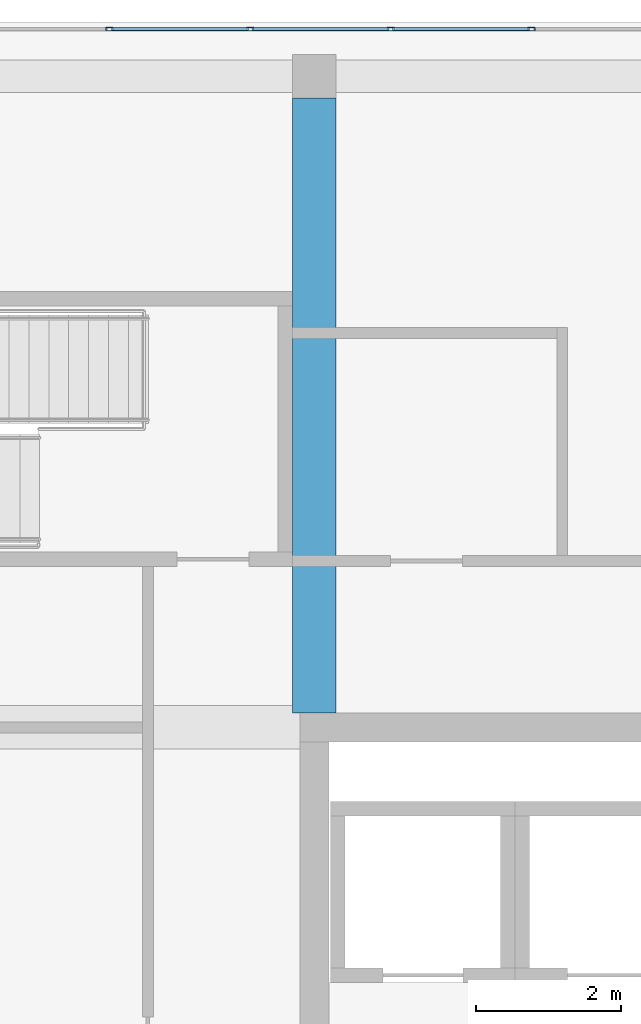
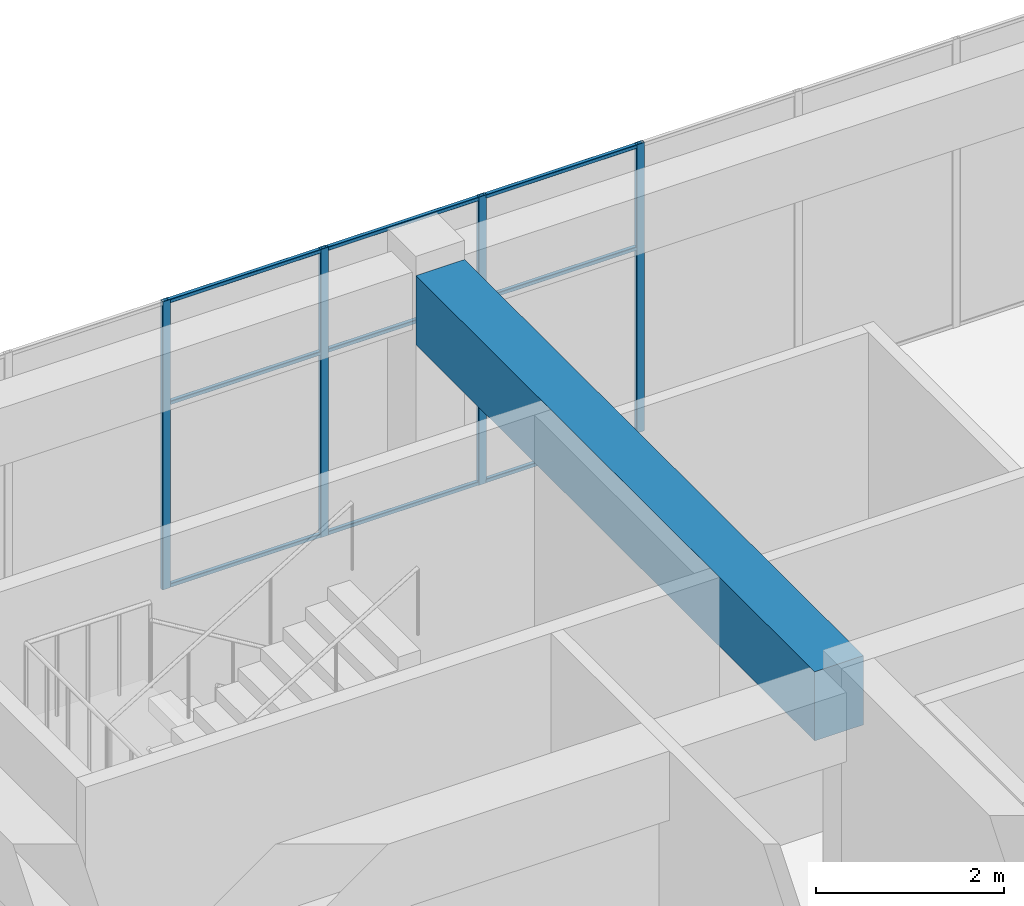
# One storey, part 21 of 32: 13 members, 1 beam, 1 element without a shape of its own.
"""IFC4 building model written with IfcOpenShell, lengths in metres."""

from ifc_helpers import new_model, si_unit, direction, frame, origin, origin_2d, place, context, subcontext, project, spatial, rectangle, hollow_rectangle, extrude, material, layer, layer_set, material_profile, profile_set, type_object, element, aggregate, save


model = new_model("IFC4")

# Units and contexts
model_context = context("Model", 3, precision=1e-05, world=origin(), true_north=direction((0.0, 1.0)))
body_context = subcontext(model_context, "Body", "Model", "MODEL_VIEW")
ifc_project = project(units=[si_unit("LENGTHUNIT", "METRE"), si_unit("AREAUNIT", "SQUARE_METRE"), si_unit("VOLUMEUNIT", "CUBIC_METRE"), si_unit("PLANEANGLEUNIT", "RADIAN"), si_unit("MASSUNIT", "GRAM", prefix="KILO")], contexts=[model_context])

# Site, building, storey
site_placement = place(None, origin())
site = spatial("IfcSite", under=ifc_project, at=site_placement, CompositionType="ELEMENT")
building_placement = place(site_placement, origin())
building = spatial("IfcBuilding", under=site, at=building_placement, Name="Tuart Plaza Theatre", CompositionType="ELEMENT")
storey_placement = place(building_placement, frame((0.0, 0.0, 41.5)))
storey = spatial("IfcBuildingStorey", under=building, at=storey_placement, Name="L10", CompositionType="ELEMENT", Elevation=41.5)

# Beam
ifc_material_1 = material(Name="Concrete N40 (40 MPa)", Category="concrete")
ifc_material_profile_1 = material_profile(ifc_material_1, rectangle(XDim=0.60009765625, YDim=0.89990234375, at=origin_2d()), Name="BEAM 600x900 Concrete N40 (40 MPa)")
ifc_profile_set_1 = profile_set([ifc_material_profile_1], Name="Concrete N40 (40 MPa)")
beam_type = type_object("IfcBeamType", Name="BEAM 600x900 Concrete N40 (40 MPa)", PredefinedType="BEAM", material=ifc_profile_set_1)
beam_placement = place(storey_placement, frame((123.0, 83.199951171875, 3.300048828125), z_axis=(0.0, 1.0, 0.0), x_axis=(-1.0, 0.0, 0.0)))
element("IfcBeam", 1, at=beam_placement, inside=storey, type_object=beam_type, Name="RB298", PredefinedType="BEAM", context=body_context, shape_type="SweptSolid", body=[
    extrude(rectangle(XDim=0.60009765625, YDim=0.89990234375, at=origin_2d()), origin(), (0.0, 0.0, 1.0), 8.5),
])

# Curtain wall, members
ifc_material_2 = material(Name="Aluminium and glass", Category="aluminium")
ifc_layer = layer(ifc_material_2, 0.10009765625)
ifc_layer_set = layer_set([ifc_layer], Name="CURTAIN WALL 2000 module")
curtain_wall_type = type_object("IfcCurtainWallType", Name="CURTAIN WALL 2000 module", PredefinedType="NOTDEFINED", material=ifc_layer_set)
curtain_wall_placement = place(storey_placement, origin())
curtain_wall = element("IfcCurtainWall", 2, at=curtain_wall_placement, inside=storey, type_object=curtain_wall_type, Name="CW105", PredefinedType="NOTDEFINED")
ifc_material_3 = material(Name="Aluminium 6063-T5", Category="aluminium")
ifc_material_profile_2 = material_profile(ifc_material_3, hollow_rectangle(XDim=0.050048828125, YDim=0.10009765625, WallThickness=0.00390625, InnerFilletRadius=0.00390625, OuterFilletRadius=0.008056640625, at=origin_2d()), Name="RHS 100x50x4")
ifc_profile_set_2 = profile_set([ifc_material_profile_2], Name="Aluminium 6063-T5")
member_type_1 = type_object("IfcMemberType", Name="MULLION RHS 100x50x4", PredefinedType="MULLION", material=ifc_profile_set_2)
member_1_placement = place(storey_placement, frame((126.0, 92.64990234375, 0.0), z_axis=(0.0, 0.0, 1.0), x_axis=(0.0, -1.0, 0.0)))
member_1 = element("IfcMember", 3, at=member_1_placement, type_object=member_type_1, Name="CW105 mullion 9", PredefinedType="MULLION", context=body_context, shape_type="SweptSolid", body=[
    extrude(hollow_rectangle(XDim=0.050048828125, YDim=0.10009765625, WallThickness=0.00390625, InnerFilletRadius=0.00390625, OuterFilletRadius=0.008056640625, at=origin_2d()), origin(), (0.0, 0.0, 1.0), 3.75),
])
member_2_placement = place(storey_placement, frame((124.05615234375, 92.64990234375, 0.0), z_axis=(0.0, 0.0, 1.0), x_axis=(0.0, -1.0, 0.0)))
member_2 = element("IfcMember", 4, at=member_2_placement, type_object=member_type_1, Name="CW105 mullion 10", PredefinedType="MULLION", context=body_context, shape_type="SweptSolid", body=[
    extrude(hollow_rectangle(XDim=0.050048828125, YDim=0.10009765625, WallThickness=0.00390625, InnerFilletRadius=0.00390625, OuterFilletRadius=0.008056640625, at=origin_2d()), origin(), (0.0, 0.0, 1.0), 3.75),
])
member_3_placement = place(storey_placement, frame((122.112548828125, 92.64990234375, 0.0), z_axis=(0.0, 0.0, 1.0), x_axis=(0.0, -1.0, 0.0)))
member_3 = element("IfcMember", 5, at=member_3_placement, type_object=member_type_1, Name="CW105 mullion 11", PredefinedType="MULLION", context=body_context, shape_type="SweptSolid", body=[
    extrude(hollow_rectangle(XDim=0.050048828125, YDim=0.10009765625, WallThickness=0.00390625, InnerFilletRadius=0.00390625, OuterFilletRadius=0.008056640625, at=origin_2d()), origin(), (0.0, 0.0, 1.0), 3.75),
])
member_4_placement = place(storey_placement, frame((120.168701171875, 92.64990234375, 0.0), z_axis=(0.0, 0.0, 1.0), x_axis=(0.0, -1.0, 0.0)))
member_4 = element("IfcMember", 6, at=member_4_placement, type_object=member_type_1, Name="CW105 mullion 12", PredefinedType="MULLION", context=body_context, shape_type="SweptSolid", body=[
    extrude(hollow_rectangle(XDim=0.050048828125, YDim=0.10009765625, WallThickness=0.00390625, InnerFilletRadius=0.00390625, OuterFilletRadius=0.008056640625, at=origin_2d()), origin(), (0.0, 0.0, 1.0), 3.75),
])
ifc_material_4 = material(Name="Aluminium 6063-T5", Category="aluminium")
ifc_material_profile_3 = material_profile(ifc_material_4, hollow_rectangle(XDim=0.050048828125, YDim=0.050048828125, WallThickness=0.00390625, InnerFilletRadius=0.00390625, OuterFilletRadius=0.008056640625, at=origin_2d()), Name="RHS 50x50x4")
ifc_profile_set_3 = profile_set([ifc_material_profile_3], Name="Aluminium 6063-T5")
member_type_2 = type_object("IfcMemberType", Name="TRANSOM RHS 50x50x4", PredefinedType="USERDEFINED", material=ifc_profile_set_3)
member_5_placement = place(storey_placement, frame((125.97509765625, 92.64990234375, 0.02490234375), z_axis=(-1.0, 0.0, 0.0), x_axis=(0.0, -1.0, 0.0)))
member_5 = element("IfcMember", 7, at=member_5_placement, type_object=member_type_2, Name="CW105 transom 9.1", ObjectType="TRANSOM", PredefinedType="USERDEFINED", context=body_context, shape_type="SweptSolid", body=[
    extrude(hollow_rectangle(XDim=0.050048828125, YDim=0.050048828125, WallThickness=0.00390625, InnerFilletRadius=0.00390625, OuterFilletRadius=0.008056640625, at=origin_2d()), origin(), (0.0, 0.0, 1.0), 1.893798828125),
])
member_6_placement = place(storey_placement, frame((125.97509765625, 92.64990234375, 2.39990234375), z_axis=(-1.0, 0.0, 0.0), x_axis=(0.0, -1.0, 0.0)))
member_6 = element("IfcMember", 8, at=member_6_placement, type_object=member_type_2, Name="CW105 transom 9.2", ObjectType="TRANSOM", PredefinedType="USERDEFINED", context=body_context, shape_type="SweptSolid", body=[
    extrude(hollow_rectangle(XDim=0.050048828125, YDim=0.050048828125, WallThickness=0.00390625, InnerFilletRadius=0.00390625, OuterFilletRadius=0.008056640625, at=origin_2d()), origin(), (0.0, 0.0, 1.0), 1.893798828125),
])
member_7_placement = place(storey_placement, frame((125.97509765625, 92.64990234375, 3.72509765625), z_axis=(-1.0, 0.0, 0.0), x_axis=(0.0, -1.0, 0.0)))
member_7 = element("IfcMember", 9, at=member_7_placement, type_object=member_type_2, Name="CW105 transom 9.3", ObjectType="TRANSOM", PredefinedType="USERDEFINED", context=body_context, shape_type="SweptSolid", body=[
    extrude(hollow_rectangle(XDim=0.050048828125, YDim=0.050048828125, WallThickness=0.00390625, InnerFilletRadius=0.00390625, OuterFilletRadius=0.008056640625, at=origin_2d()), origin(), (0.0, 0.0, 1.0), 1.893798828125),
])
member_8_placement = place(storey_placement, frame((124.03125, 92.64990234375, 0.02490234375), z_axis=(-1.0, 0.0, 0.0), x_axis=(0.0, -1.0, 0.0)))
member_8 = element("IfcMember", 10, at=member_8_placement, type_object=member_type_2, Name="CW105 transom 10.1", ObjectType="TRANSOM", PredefinedType="USERDEFINED", context=body_context, shape_type="SweptSolid", body=[
    extrude(hollow_rectangle(XDim=0.050048828125, YDim=0.050048828125, WallThickness=0.00390625, InnerFilletRadius=0.00390625, OuterFilletRadius=0.008056640625, at=origin_2d()), origin(), (0.0, 0.0, 1.0), 1.893798828125),
])
member_9_placement = place(storey_placement, frame((124.03125, 92.64990234375, 2.39990234375), z_axis=(-1.0, 0.0, 0.0), x_axis=(0.0, -1.0, 0.0)))
member_9 = element("IfcMember", 11, at=member_9_placement, type_object=member_type_2, Name="CW105 transom 10.2", ObjectType="TRANSOM", PredefinedType="USERDEFINED", context=body_context, shape_type="SweptSolid", body=[
    extrude(hollow_rectangle(XDim=0.050048828125, YDim=0.050048828125, WallThickness=0.00390625, InnerFilletRadius=0.00390625, OuterFilletRadius=0.008056640625, at=origin_2d()), origin(), (0.0, 0.0, 1.0), 1.893798828125),
])
member_10_placement = place(storey_placement, frame((124.03125, 92.64990234375, 3.72509765625), z_axis=(-1.0, 0.0, 0.0), x_axis=(0.0, -1.0, 0.0)))
member_10 = element("IfcMember", 12, at=member_10_placement, type_object=member_type_2, Name="CW105 transom 10.3", ObjectType="TRANSOM", PredefinedType="USERDEFINED", context=body_context, shape_type="SweptSolid", body=[
    extrude(hollow_rectangle(XDim=0.050048828125, YDim=0.050048828125, WallThickness=0.00390625, InnerFilletRadius=0.00390625, OuterFilletRadius=0.008056640625, at=origin_2d()), origin(), (0.0, 0.0, 1.0), 1.893798828125),
])
member_11_placement = place(storey_placement, frame((122.08740234375, 92.64990234375, 0.02490234375), z_axis=(-1.0, 0.0, 0.0), x_axis=(0.0, -1.0, 0.0)))
member_11 = element("IfcMember", 13, at=member_11_placement, type_object=member_type_2, Name="CW105 transom 11.1", ObjectType="TRANSOM", PredefinedType="USERDEFINED", context=body_context, shape_type="SweptSolid", body=[
    extrude(hollow_rectangle(XDim=0.050048828125, YDim=0.050048828125, WallThickness=0.00390625, InnerFilletRadius=0.00390625, OuterFilletRadius=0.008056640625, at=origin_2d()), origin(), (0.0, 0.0, 1.0), 1.8935546875),
])
member_12_placement = place(storey_placement, frame((122.08740234375, 92.64990234375, 2.39990234375), z_axis=(-1.0, 0.0, 0.0), x_axis=(0.0, -1.0, 0.0)))
member_12 = element("IfcMember", 14, at=member_12_placement, type_object=member_type_2, Name="CW105 transom 11.2", ObjectType="TRANSOM", PredefinedType="USERDEFINED", context=body_context, shape_type="SweptSolid", body=[
    extrude(hollow_rectangle(XDim=0.050048828125, YDim=0.050048828125, WallThickness=0.00390625, InnerFilletRadius=0.00390625, OuterFilletRadius=0.008056640625, at=origin_2d()), origin(), (0.0, 0.0, 1.0), 1.8935546875),
])
member_13_placement = place(storey_placement, frame((122.08740234375, 92.64990234375, 3.72509765625), z_axis=(-1.0, 0.0, 0.0), x_axis=(0.0, -1.0, 0.0)))
member_13 = element("IfcMember", 15, at=member_13_placement, type_object=member_type_2, Name="CW105 transom 11.3", ObjectType="TRANSOM", PredefinedType="USERDEFINED", context=body_context, shape_type="SweptSolid", body=[
    extrude(hollow_rectangle(XDim=0.050048828125, YDim=0.050048828125, WallThickness=0.00390625, InnerFilletRadius=0.00390625, OuterFilletRadius=0.008056640625, at=origin_2d()), origin(), (0.0, 0.0, 1.0), 1.8935546875),
])
aggregate(curtain_wall, [member_1, member_2, member_3, member_4, member_5, member_6, member_7, member_8, member_9, member_10, member_11, member_12, member_13])

save(model, "model.ifc")
